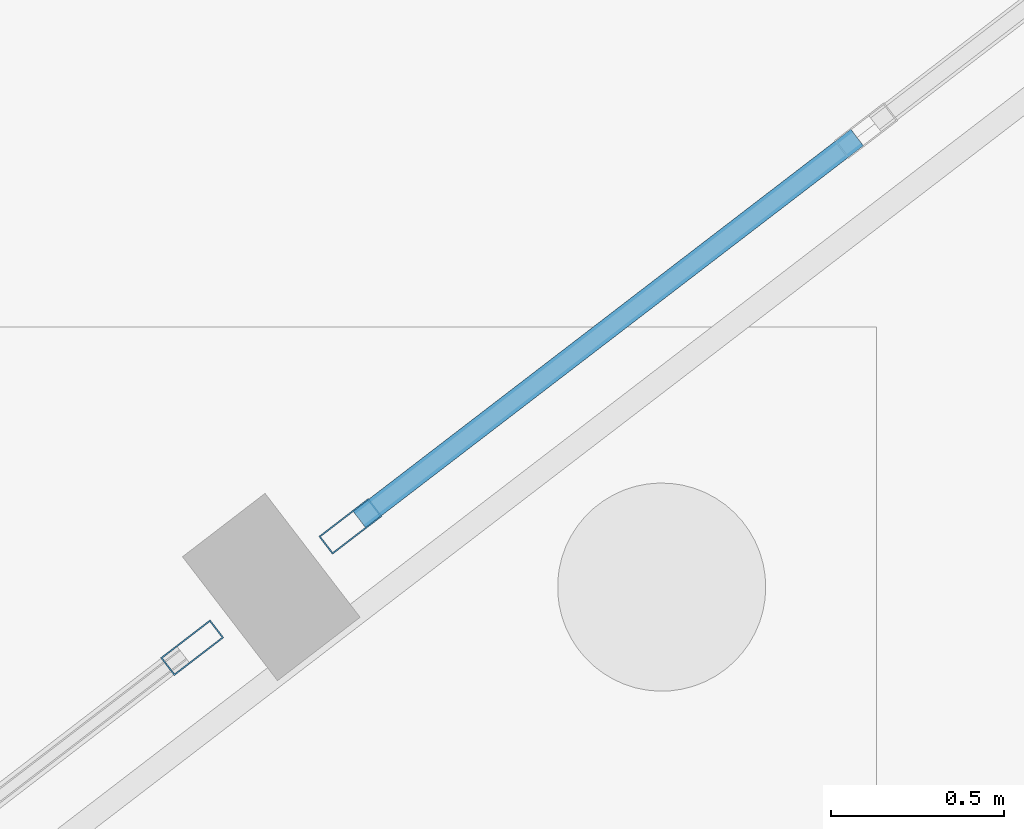
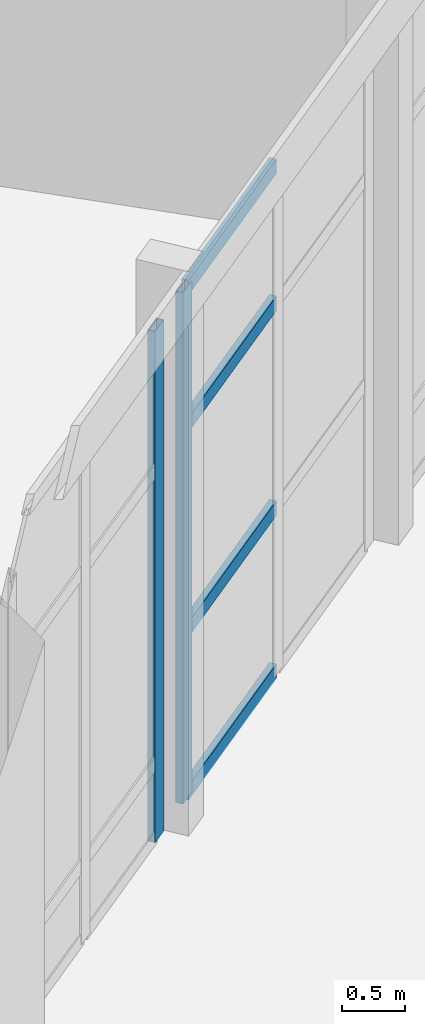
# One storey, part 67 of 137: 6 members, 2 elements without a shape of their own.
"""IFC4 building model written with IfcOpenShell, lengths in metres."""

from ifc_helpers import new_model, si_unit, direction, frame, origin, origin_2d, place, context, subcontext, project, spatial, hollow_rectangle, extrude, material, material_profile, profile_set, type_object, element, aggregate, save


model = new_model("IFC4")

# Units and contexts
model_context = context("Model", 3, precision=1e-05, world=origin(), true_north=direction((0.0, 1.0)))
body_context = subcontext(model_context, "Body", "Model", "MODEL_VIEW")
ifc_project = project(units=[si_unit("LENGTHUNIT", "METRE"), si_unit("AREAUNIT", "SQUARE_METRE"), si_unit("VOLUMEUNIT", "CUBIC_METRE"), si_unit("PLANEANGLEUNIT", "RADIAN"), si_unit("MASSUNIT", "GRAM", prefix="KILO")], contexts=[model_context])

# Site, building, storey
site_placement = place(None, origin())
site = spatial("IfcSite", under=ifc_project, at=site_placement, CompositionType="ELEMENT")
building_placement = place(site_placement, origin())
building = spatial("IfcBuilding", under=site, at=building_placement, Name="Vondelvale Polytechnic", CompositionType="ELEMENT")
storey_placement = place(building_placement, origin())
storey = spatial("IfcBuildingStorey", under=building, at=storey_placement, Name="L00", CompositionType="ELEMENT", Elevation=0.0)

# Curtain wall, member
ifc_material_1 = material(Name="Glulam GL18 structural Tasmanian oak (fb = 42 MPa)", Category="wood")
curtain_wall_type = type_object("IfcCurtainWallType", Name="CW-RING-OUTER", PredefinedType="NOTDEFINED", material=ifc_material_1)
curtain_wall_1_placement = place(storey_placement, origin())
curtain_wall_1 = element("IfcCurtainWall", 1, at=curtain_wall_1_placement, inside=storey, type_object=curtain_wall_type, Name="L00 architectural curtain wall CW-04-341", PredefinedType="NOTDEFINED")
ifc_material_2 = material(Name="Anodised extruded aluminium 6063-T6", Category="aluminium")
ifc_material_profile_1 = material_profile(ifc_material_2, hollow_rectangle(XDim=0.06494140625, YDim=0.179931640625, WallThickness=0.00390625, at=origin_2d()), Name="CW-MUL-180x65")
ifc_profile_set_1 = profile_set([ifc_material_profile_1], Name="Anodised extruded aluminium 6063-T6")
member_type_1 = type_object("IfcMemberType", Name="CW-MUL-65x180", PredefinedType="MULLION", material=ifc_profile_set_1)
member_1_placement = place(storey_placement, frame((127.820556640625, 34.3271484375, 0.0), z_axis=(0.0, 0.0, 1.0), x_axis=(-0.608763610584, 0.793351666305, 0.0)))
member_1 = element("IfcMember", 2, at=member_1_placement, type_object=member_type_1, Name="CW-04-341 mullion 3", PredefinedType="MULLION", context=body_context, shape_type="SweptSolid", body=[
    extrude(hollow_rectangle(XDim=0.06494140625, YDim=0.179931640625, WallThickness=0.00390625, at=origin_2d()), origin(), (0.0, 0.0, 1.0), 4.919921875),
])
aggregate(curtain_wall_1, [member_1])

# Curtain wall, members
curtain_wall_2_placement = place(storey_placement, origin())
curtain_wall_2 = element("IfcCurtainWall", 3, at=curtain_wall_2_placement, inside=storey, type_object=curtain_wall_type, Name="L00 architectural curtain wall CW-04-342", PredefinedType="NOTDEFINED")
member_2_placement = place(storey_placement, frame((128.276611328125, 34.677001953125, 0.0), z_axis=(0.0, 0.0, 1.0), x_axis=(-0.608771189063, 0.793345851043, 0.0)))
member_2 = element("IfcMember", 4, at=member_2_placement, type_object=member_type_1, Name="CW-04-342 mullion 1", PredefinedType="MULLION", context=body_context, shape_type="SweptSolid", body=[
    extrude(hollow_rectangle(XDim=0.06494140625, YDim=0.179931640625, WallThickness=0.00390625, at=origin_2d()), origin(), (0.0, 0.0, 1.0), 4.919921875),
])
ifc_material_profile_2 = material_profile(ifc_material_2, hollow_rectangle(XDim=0.06005859375, YDim=0.139892578125, WallThickness=0.00341796875, at=origin_2d()), Name="CW-TRN-140x60")
ifc_profile_set_2 = profile_set([ifc_material_profile_2], Name="Anodised extruded aluminium 6063-T6")
member_type_2 = type_object("IfcMemberType", Name="CW-TRN-60x140", PredefinedType="USERDEFINED", material=ifc_profile_set_2)
member_3_placement = place(storey_placement, frame((128.302490234375, 34.69677734375, 0.030029296875), z_axis=(0.793310842007, 0.608816809849, 0.0), x_axis=(-0.608816809849, 0.793310842007, 0.0)))
member_3 = element("IfcMember", 5, at=member_3_placement, type_object=member_type_2, Name="CW-04-342 transom 1.1", ObjectType="TRANSOM", PredefinedType="USERDEFINED", context=body_context, shape_type="SweptSolid", body=[
    extrude(hollow_rectangle(XDim=0.06005859375, YDim=0.139892578125, WallThickness=0.00341796875, at=origin_2d()), origin(), (0.0, 0.0, 1.0), 1.808837890625),
])
member_4_placement = place(storey_placement, frame((128.302490234375, 34.69677734375, 1.60009765625), z_axis=(0.793310842007, 0.608816809849, 0.0), x_axis=(-0.608816809849, 0.793310842007, 0.0)))
member_4 = element("IfcMember", 6, at=member_4_placement, type_object=member_type_2, Name="CW-04-342 transom 1.2", ObjectType="TRANSOM", PredefinedType="USERDEFINED", context=body_context, shape_type="SweptSolid", body=[
    extrude(hollow_rectangle(XDim=0.06005859375, YDim=0.139892578125, WallThickness=0.00341796875, at=origin_2d()), origin(), (0.0, 0.0, 1.0), 1.808837890625),
])
member_5_placement = place(storey_placement, frame((128.302490234375, 34.69677734375, 3.570068359375), z_axis=(0.793310842007, 0.608816809849, 0.0), x_axis=(-0.608816809849, 0.793310842007, 0.0)))
member_5 = element("IfcMember", 7, at=member_5_placement, type_object=member_type_2, Name="CW-04-342 transom 1.3", ObjectType="TRANSOM", PredefinedType="USERDEFINED", context=body_context, shape_type="SweptSolid", body=[
    extrude(hollow_rectangle(XDim=0.06005859375, YDim=0.139892578125, WallThickness=0.00341796875, at=origin_2d()), origin(), (0.0, 0.0, 1.0), 1.808837890625),
])
member_6_placement = place(storey_placement, frame((128.302490234375, 34.69677734375, 4.889892578125), z_axis=(0.793310842007, 0.608816809849, 0.0), x_axis=(-0.608816809849, 0.793310842007, 0.0)))
member_6 = element("IfcMember", 8, at=member_6_placement, type_object=member_type_2, Name="CW-04-342 transom 1.4", ObjectType="TRANSOM", PredefinedType="USERDEFINED", context=body_context, shape_type="SweptSolid", body=[
    extrude(hollow_rectangle(XDim=0.06005859375, YDim=0.139892578125, WallThickness=0.00341796875, at=origin_2d()), origin(), (0.0, 0.0, 1.0), 1.808837890625),
])
aggregate(curtain_wall_2, [member_2, member_3, member_4, member_5, member_6])

save(model, "model.ifc")
